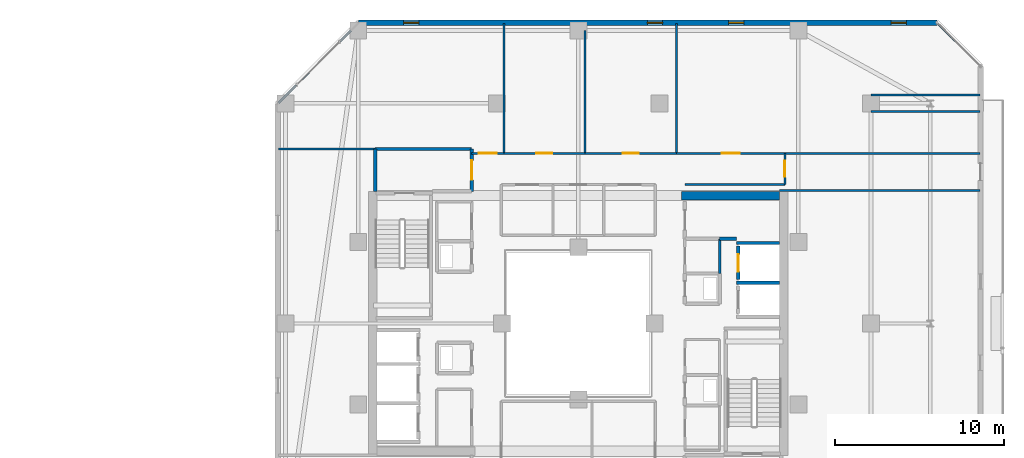
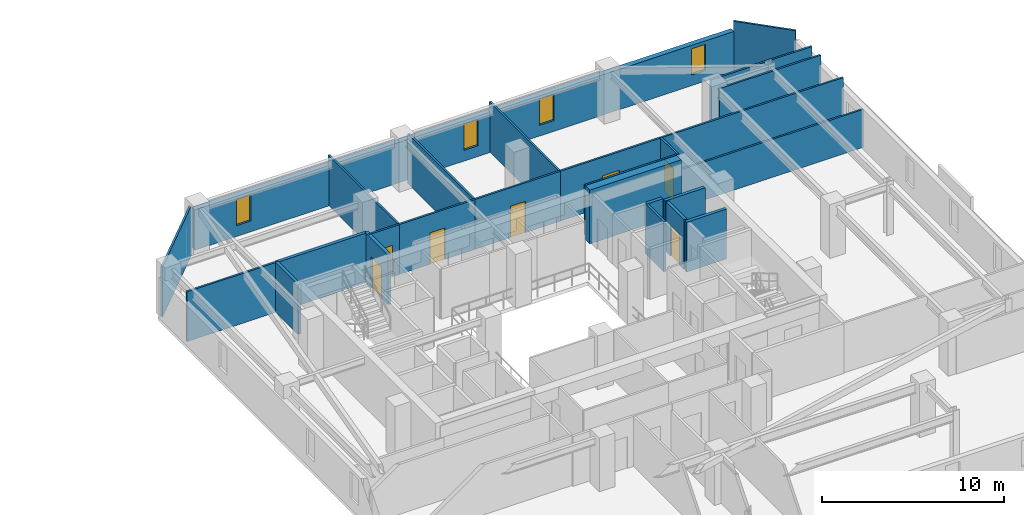
# One storey, part 25 of 32: 26 walls, 7 doors, 4 windows, 11 openings.
"""IFC4 building model written with IfcOpenShell, lengths in metres."""

from ifc_helpers import new_model, si_unit, direction, frame, frame_2d, origin, place, context, subcontext, project, spatial, rectangle, extrude, material, layer, layer_set, type_object, element, fill, save


model = new_model("IFC4")

# Units and contexts
model_context = context("Model", 3, precision=1e-05, world=origin(), true_north=direction((0.0, 1.0)))
body_context = subcontext(model_context, "Body", "Model", "MODEL_VIEW")
ifc_project = project(units=[si_unit("LENGTHUNIT", "METRE"), si_unit("AREAUNIT", "SQUARE_METRE"), si_unit("VOLUMEUNIT", "CUBIC_METRE"), si_unit("PLANEANGLEUNIT", "RADIAN"), si_unit("MASSUNIT", "GRAM", prefix="KILO")], contexts=[model_context])

# Site, building, storey
site_placement = place(None, origin())
site = spatial("IfcSite", under=ifc_project, at=site_placement, CompositionType="ELEMENT")
building_placement = place(site_placement, origin())
building = spatial("IfcBuilding", under=site, at=building_placement, Name="Thornwick Lancets Civic Towers", CompositionType="ELEMENT")
storey_placement = place(building_placement, frame((0.0, 0.0, 247.5)))
storey = spatial("IfcBuildingStorey", under=building, at=storey_placement, Name="L66", CompositionType="ELEMENT", Elevation=247.5)

# Wall, opening, door
ifc_material_1 = material(Name="Concrete blockwork C40/50", Category="masonry")
ifc_layer_1 = layer(ifc_material_1, 0.199951171875, Name="Concrete blockwork C40/50")
ifc_layer_set_1 = layer_set([ifc_layer_1], Name="Concrete blockwork C40/50")
wall_type_1 = type_object("IfcWallType", Name="WALL_COMP_200", PredefinedType="STANDARD", material=ifc_layer_set_1)
wall_1_placement = place(storey_placement, frame((97.949951171875, 31.570068359375, 0.0), z_axis=(0.0, 0.0, 1.0), x_axis=(0.0, -1.0, 0.0)))
wall_1 = element("IfcWall", 1, at=wall_1_placement, inside=storey, type_object=wall_type_1, Name="L66 Hoistway Front Wall PL-BH1", PredefinedType="STANDARD", context=body_context, shape_type="SweptSolid", body=[
    extrude(rectangle(XDim=1.989990234375, YDim=0.199951171875, at=frame_2d((0.9951171875, 0.0))), origin(), (0.0, 0.0, 1.0), 3.340087890625),
])
opening_1_placement = place(wall_1_placement, frame((0.485107421875, 0.0, 0.0)))
opening_1 = element("IfcOpeningElement", 2, at=opening_1_placement, cuts=wall_1, Name="Opening LD-PL-BH1", PredefinedType="OPENING", context=body_context, shape_type="SweptSolid", body=[
    extrude(rectangle(XDim=1.02001953125, YDim=2.06005859375, at=frame_2d((0.510009765625, 1.030029296875))), frame((0.0, 0.10986328125, 0.0), z_axis=(0.0, -1.0, 0.0), x_axis=(1.0, 0.0, 0.0)), (0.0, 0.0, 1.0), 0.219970703125),
])
ifc_material_2 = material(Name="Brushed bronze stainless steel", Category="steel")
door_type_1 = type_object("IfcDoorType", Name="DOOR_LIFT_SLIDE", OperationType="SLIDING_TO_LEFT", PredefinedType="DOOR", material=ifc_material_2)
door_1_placement = place(opening_1_placement, origin())
door_1 = element("IfcDoor", 3, at=door_1_placement, inside=storey, type_object=door_type_1, Name="L66 Sliding Lift Landing Door LD-PL-BH1", OperationType="SLIDING_TO_LEFT", OverallHeight=2.06005859375, OverallWidth=1.02001953125, PredefinedType="DOOR", context=body_context, shape_type="SweptSolid", body=[
    extrude(rectangle(XDim=1.02001953125, YDim=2.06005859375, at=frame_2d((0.510009765625, 1.030029296875))), frame((0.0, 0.02490234375, 0.0), z_axis=(0.0, -1.0, 0.0), x_axis=(1.0, 0.0, 0.0)), (0.0, 0.0, 1.0), 0.050048828125),
])
fill(opening_1, door_1)

# Walls
for number, where, z_axis, x_axis, name in (
    (4, (97.85205078125, 29.39990234375, 0.0), (0.0, 0.0, 1.0), (1.0, 0.0, 0.0), "L66 Hoistway Shaft Wall FL-B1 N"),
    (5, (97.85205078125, 31.75, 0.0), (0.0, 0.0, 1.0), (1.0, 0.0, 0.0), "L66 Hoistway Shaft Wall PL-BH1 N"),
):
    element("IfcWall", number, at=place(storey_placement, frame(where, z_axis=z_axis, x_axis=x_axis)), inside=storey, type_object=wall_type_1, Name=name, PredefinedType="STANDARD", context=body_context, shape_type="SweptSolid", body=[
        extrude(rectangle(XDim=2.535888671875, YDim=0.199951171875, at=frame_2d((1.26806640625, 0.0))), origin(), (0.0, 0.0, 1.0), 3.340087890625),
    ])

# Wall, opening, door
wall_2_placement = place(storey_placement, frame((82.199951171875, 34.800048828125, 0.0), z_axis=(0.0, 0.0, 1.0), x_axis=(0.0, 1.0, 0.0)))
wall_2 = element("IfcWall", 6, at=wall_2_placement, inside=storey, type_object=wall_type_1, Name="L66 Partition L66-B-FFLOB2 E2", PredefinedType="STANDARD", context=body_context, shape_type="SweptSolid", body=[
    extrude(rectangle(XDim=2.5, YDim=0.199951171875, at=frame_2d((1.25, 0.0))), origin(), (0.0, 0.0, 1.0), 3.340087890625),
])
opening_2_placement = place(wall_2_placement, frame((0.675048828125, 0.0, 0.0)))
opening_2 = element("IfcOpeningElement", 7, at=opening_2_placement, cuts=wall_2, Name="Opening D-L66-2986", PredefinedType="OPENING", context=body_context, shape_type="SweptSolid", body=[
    extrude(rectangle(XDim=1.14990234375, YDim=2.10009765625, at=frame_2d((0.574951171875, 1.050048828125))), frame((0.0, 0.10986328125, 0.0), z_axis=(0.0, -1.0, 0.0), x_axis=(1.0, 0.0, 0.0)), (0.0, 0.0, 1.0), 0.219970703125),
])
ifc_material_3 = material(Name="Glazed fire-resisting steel", Category="steel")
door_type_2 = type_object("IfcDoorType", Name="DOOR_LOBBY_FD60", OperationType="NOTDEFINED", PredefinedType="DOOR", material=ifc_material_3)
door_2_placement = place(opening_2_placement, origin())
door_2 = element("IfcDoor", 8, at=door_2_placement, inside=storey, type_object=door_type_2, Name="L66 West Firefighting Lobby 2 Door", OperationType="SINGLE_SWING_LEFT", OverallHeight=2.10009765625, OverallWidth=1.14990234375, PredefinedType="DOOR", context=body_context, shape_type="SweptSolid", body=[
    extrude(rectangle(XDim=1.14990234375, YDim=2.10009765625, at=frame_2d((0.574951171875, 1.050048828125))), frame((0.0, 0.02490234375, 0.0), z_axis=(0.0, -1.0, 0.0), x_axis=(1.0, 0.0, 0.0)), (0.0, 0.0, 1.0), 0.050048828125),
])
fill(opening_2, door_2)

# Walls
wall_3_placement = place(storey_placement, frame((82.199951171875, 37.300048828125, 0.0), z_axis=(0.0, 0.0, 1.0), x_axis=(-1.0, 0.0, 0.0)))
element("IfcWall", 9, at=wall_3_placement, inside=storey, type_object=wall_type_1, Name="L66 Partition L66-B-FFLOB2 E3", PredefinedType="STANDARD", context=body_context, shape_type="SweptSolid", body=[
    extrude(rectangle(XDim=5.699951171875, YDim=0.199951171875, at=frame_2d((2.85009765625, 0.0))), origin(), (0.0, 0.0, 1.0), 3.340087890625),
])
wall_4_placement = place(storey_placement, frame((76.5, 37.300048828125, 0.0), z_axis=(0.0, 0.0, 1.0), x_axis=(0.0, -1.0, 0.0)))
element("IfcWall", 10, at=wall_4_placement, inside=storey, type_object=wall_type_1, Name="L66 Partition L66-B-FFLOB2 E4", PredefinedType="STANDARD", context=body_context, shape_type="SweptSolid", body=[
    extrude(rectangle(XDim=2.5, YDim=0.199951171875, at=frame_2d((1.25, 0.0))), origin(), (0.0, 0.0, 1.0), 3.340087890625),
])
wall_5_placement = place(storey_placement, frame((97.85205078125, 32.0, 0.0), z_axis=(0.0, 0.0, 1.0), x_axis=(-1.0, 0.0, 0.0)))
element("IfcWall", 11, at=wall_5_placement, inside=storey, type_object=wall_type_1, Name="L66 Partition L66-B-STR2 E4", PredefinedType="STANDARD", context=body_context, shape_type="SweptSolid", body=[
    extrude(rectangle(XDim=1.001953125, YDim=0.199951171875, at=frame_2d((0.5009765625, 0.0))), origin(), (0.0, 0.0, 1.0), 3.340087890625),
])
ifc_material_4 = material(Name="Concrete C50/60", Category="concrete")
ifc_layer_2 = layer(ifc_material_4, 0.5, Name="Concrete C50/60")
ifc_layer_set_2 = layer_set([ifc_layer_2], Name="Concrete C50/60")
wall_type_2 = type_object("IfcWallType", Name="WALL_CORE_500", PredefinedType="SHEAR", material=ifc_layer_set_2)
wall_6_placement = place(storey_placement, frame((94.60009765625, 34.550048828125, 0.0), z_axis=(0.0, 0.0, 1.0), x_axis=(1.0, 0.0, 0.0)))
element("IfcWall", 12, at=wall_6_placement, inside=storey, type_object=wall_type_2, Name="L66 Split Core B1 Shear Wall N", PredefinedType="SHEAR", context=body_context, shape_type="SweptSolid", body=[
    extrude(rectangle(XDim=5.7998046875, YDim=0.5, at=frame_2d((2.89990234375, 0.0))), origin(), (0.0, 0.0, 1.0), 3.60009765625),
])

# Wall, openings, windows
ifc_material_5 = material(Name="Insulated buff terracotta rainscreen on concrete C40/50", Category="masonry")
ifc_layer_3 = layer(ifc_material_5, 0.320068359375, Name="Insulated buff terracotta rainscreen on concrete C40/50")
ifc_layer_set_3 = layer_set([ifc_layer_3], Name="Insulated buff terracotta rainscreen on concrete C40/50")
wall_type_3 = type_object("IfcWallType", Name="WALL_EXT_TERRA_320", PredefinedType="STANDARD", material=ifc_layer_set_3)
wall_7_placement = place(storey_placement, frame((109.681396484375, 44.7646484375, 0.0), z_axis=(0.0, 0.0, 1.0), x_axis=(-0.99999997701, -0.000214431216, 0.0)))
wall_7 = element("IfcWall", 13, at=wall_7_placement, inside=storey, type_object=wall_type_3, Name="L66 Tower B Terracotta Facade Wall E4", PredefinedType="STANDARD", context=body_context, shape_type="SweptSolid", body=[
    extrude(rectangle(XDim=34.156494140625, YDim=0.320068359375, at=frame_2d((17.078125, 0.0))), origin(), (0.0, 0.0, 1.0), 2.699951171875),
])
opening_3_placement = place(wall_7_placement, frame((1.800048828125, 0.0, 0.719970703125)))
opening_3 = element("IfcOpeningElement", 14, at=opening_3_placement, cuts=wall_7, Name="Opening WL-01", PredefinedType="OPENING", context=body_context, shape_type="SweptSolid", body=[
    extrude(rectangle(XDim=0.89990234375, YDim=1.75, at=frame_2d((0.449951171875, 0.875))), frame((0.0, 0.169921875, 0.0), z_axis=(0.0, -1.0, 0.0), x_axis=(1.0, 0.0, 0.0)), (0.0, 0.0, 1.0), 0.340087890625),
])
opening_4_placement = place(wall_7_placement, frame((11.39990234375, 0.0, 0.719970703125)))
opening_4 = element("IfcOpeningElement", 15, at=opening_4_placement, cuts=wall_7, Name="Opening WL-01", PredefinedType="OPENING", context=body_context, shape_type="SweptSolid", body=[
    extrude(rectangle(XDim=0.89990234375, YDim=1.75, at=frame_2d((0.449951171875, 0.875))), frame((0.0, 0.169921875, 0.0), z_axis=(0.0, -1.0, 0.0), x_axis=(1.0, 0.0, 0.0)), (0.0, 0.0, 1.0), 0.340087890625),
])
opening_5_placement = place(wall_7_placement, frame((16.199951171875, 0.0, 0.719970703125)))
opening_5 = element("IfcOpeningElement", 16, at=opening_5_placement, cuts=wall_7, Name="Opening WL-01", PredefinedType="OPENING", context=body_context, shape_type="SweptSolid", body=[
    extrude(rectangle(XDim=0.89990234375, YDim=1.75, at=frame_2d((0.449951171875, 0.875))), frame((0.0, 0.169921875, 0.0), z_axis=(0.0, -1.0, 0.0), x_axis=(1.0, 0.0, 0.0)), (0.0, 0.0, 1.0), 0.340087890625),
])
opening_6_placement = place(wall_7_placement, frame((30.60009765625, 0.0, 0.719970703125)))
opening_6 = element("IfcOpeningElement", 17, at=opening_6_placement, cuts=wall_7, Name="Opening WL-01", PredefinedType="OPENING", context=body_context, shape_type="SweptSolid", body=[
    extrude(rectangle(XDim=0.89990234375, YDim=1.75, at=frame_2d((0.449951171875, 0.875))), frame((0.0, 0.169921875, 0.0), z_axis=(0.0, -1.0, 0.0), x_axis=(1.0, 0.0, 0.0)), (0.0, 0.0, 1.0), 0.340087890625),
])
ifc_material_6 = material(Name="Clear low-e double glazing in bronze frame", Category="glass")
window_type = type_object("IfcWindowType", Name="WIN_LANCET_900", PartitioningType="SINGLE_PANEL", PredefinedType="WINDOW", material=ifc_material_6)
window_1_placement = place(opening_3_placement, origin())
window_1 = element("IfcWindow", 18, at=window_1_placement, inside=storey, type_object=window_type, Name="L66 Tower B Staggered Lancet Window E4-1", OverallHeight=1.75, OverallWidth=0.89990234375, PartitioningType="SINGLE_PANEL", PredefinedType="WINDOW", context=body_context, shape_type="SweptSolid", body=[
    extrude(rectangle(XDim=0.89990234375, YDim=1.75, at=frame_2d((0.449951171875, 0.875))), frame((0.0, 0.030029296875, 0.0), z_axis=(0.0, -1.0, 0.0), x_axis=(1.0, 0.0, 0.0)), (0.0, 0.0, 1.0), 0.06005859375),
])
fill(opening_3, window_1)
window_2_placement = place(opening_4_placement, origin())
window_2 = element("IfcWindow", 19, at=window_2_placement, inside=storey, type_object=window_type, Name="L66 Tower B Staggered Lancet Window E4-2", OverallHeight=1.75, OverallWidth=0.89990234375, PartitioningType="SINGLE_PANEL", PredefinedType="WINDOW", context=body_context, shape_type="SweptSolid", body=[
    extrude(rectangle(XDim=0.89990234375, YDim=1.75, at=frame_2d((0.449951171875, 0.875))), frame((0.0, 0.030029296875, 0.0), z_axis=(0.0, -1.0, 0.0), x_axis=(1.0, 0.0, 0.0)), (0.0, 0.0, 1.0), 0.06005859375),
])
fill(opening_4, window_2)
window_3_placement = place(opening_5_placement, origin())
window_3 = element("IfcWindow", 20, at=window_3_placement, inside=storey, type_object=window_type, Name="L66 Tower B Staggered Lancet Window E4-3", OverallHeight=1.75, OverallWidth=0.89990234375, PartitioningType="SINGLE_PANEL", PredefinedType="WINDOW", context=body_context, shape_type="SweptSolid", body=[
    extrude(rectangle(XDim=0.89990234375, YDim=1.75, at=frame_2d((0.449951171875, 0.875))), frame((0.0, 0.030029296875, 0.0), z_axis=(0.0, -1.0, 0.0), x_axis=(1.0, 0.0, 0.0)), (0.0, 0.0, 1.0), 0.06005859375),
])
fill(opening_5, window_3)
window_4_placement = place(opening_6_placement, origin())
window_4 = element("IfcWindow", 21, at=window_4_placement, inside=storey, type_object=window_type, Name="L66 Tower B Staggered Lancet Window E4-4", OverallHeight=1.75, OverallWidth=0.89990234375, PartitioningType="SINGLE_PANEL", PredefinedType="WINDOW", context=body_context, shape_type="SweptSolid", body=[
    extrude(rectangle(XDim=0.89990234375, YDim=1.75, at=frame_2d((0.449951171875, 0.875))), frame((0.0, 0.030029296875, 0.0), z_axis=(0.0, -1.0, 0.0), x_axis=(1.0, 0.0, 0.0)), (0.0, 0.0, 1.0), 0.06005859375),
])
fill(opening_6, window_4)

# Wall
ifc_material_7 = material(Name="Acoustic gypsum board partition")
ifc_layer_4 = layer(ifc_material_7, 0.1201171875, Name="Acoustic gypsum board partition")
ifc_layer_set_4 = layer_set([ifc_layer_4], Name="Acoustic gypsum board partition")
wall_type_4 = type_object("IfcWallType", Name="WALL_PART_120", PredefinedType="PARTITIONING", material=ifc_layer_set_4)
wall_8_placement = place(storey_placement, frame((94.800048828125, 35.199951171875, 0.0), z_axis=(0.0, 0.0, 1.0), x_axis=(1.0, 0.0, 0.0)))
element("IfcWall", 22, at=wall_8_placement, inside=storey, type_object=wall_type_4, Name="L66 Partition L66-B-RECLAIM-L E2", PredefinedType="PARTITIONING", context=body_context, shape_type="SweptSolid", body=[
    extrude(rectangle(XDim=5.89990234375, YDim=0.1201171875, at=frame_2d((2.949951171875, 0.0))), origin(), (0.0, 0.0, 1.0), 3.340087890625),
])

# Wall, opening, door
wall_9_placement = place(storey_placement, frame((100.699951171875, 35.199951171875, 0.0), z_axis=(0.0, 0.0, 1.0), x_axis=(0.0, 1.0, 0.0)))
wall_9 = element("IfcWall", 23, at=wall_9_placement, inside=storey, type_object=wall_type_4, Name="L66 Partition L66-B-RECLAIM-L E3", PredefinedType="PARTITIONING", context=body_context, shape_type="SweptSolid", body=[
    extrude(rectangle(XDim=1.85009765625, YDim=0.1201171875, at=frame_2d((0.925048828125, 0.0))), origin(), (0.0, 0.0, 1.0), 3.340087890625),
])
opening_7_placement = place(wall_9_placement, frame((0.449951171875, 0.0, 0.0)))
opening_7 = element("IfcOpeningElement", 24, at=opening_7_placement, cuts=wall_9, Name="Opening D-L66-3013", PredefinedType="OPENING", context=body_context, shape_type="SweptSolid", body=[
    extrude(rectangle(XDim=0.949951171875, YDim=2.10009765625, at=frame_2d((0.47509765625, 1.050048828125))), frame((0.0, 0.070068359375, 0.0), z_axis=(0.0, -1.0, 0.0), x_axis=(1.0, 0.0, 0.0)), (0.0, 0.0, 1.0), 0.14013671875),
])
ifc_material_8 = material(Name="European oak acoustic doorset")
door_type_3 = type_object("IfcDoorType", Name="DOOR_OFFICE_950", OperationType="NOTDEFINED", PredefinedType="DOOR", material=ifc_material_8)
door_3_placement = place(opening_7_placement, origin())
door_3 = element("IfcDoor", 25, at=door_3_placement, inside=storey, type_object=door_type_3, Name="L66 Tower B Parliamentary Drafting Library Door", OperationType="SINGLE_SWING_RIGHT", OverallHeight=2.10009765625, OverallWidth=0.949951171875, PredefinedType="DOOR", context=body_context, shape_type="SweptSolid", body=[
    extrude(rectangle(XDim=0.949951171875, YDim=2.10009765625, at=frame_2d((0.47509765625, 1.050048828125))), frame((0.0, 0.02490234375, 0.0), z_axis=(0.0, -1.0, 0.0), x_axis=(1.0, 0.0, 0.0)), (0.0, 0.0, 1.0), 0.050048828125),
])
fill(opening_7, door_3)

# Walls
wall_10_placement = place(storey_placement, frame((100.699951171875, 37.050048828125, 0.0), z_axis=(0.0, 0.0, 1.0), x_axis=(1.0, 0.0, 0.0)))
element("IfcWall", 26, at=wall_10_placement, inside=storey, type_object=wall_type_4, Name="L66 Partition L66-B-RECLAIM-L E4", PredefinedType="PARTITIONING", context=body_context, shape_type="SweptSolid", body=[
    extrude(rectangle(XDim=11.52001953125, YDim=0.1201171875, at=frame_2d((5.760009765625, 0.0))), origin(), (0.0, 0.0, 1.0), 3.340087890625),
])
wall_11_placement = place(storey_placement, frame((112.219970703125, 34.85009765625, 0.0), z_axis=(0.0, 0.0, 1.0), x_axis=(-1.0, 0.0, 0.0)))
element("IfcWall", 27, at=wall_11_placement, inside=storey, type_object=wall_type_4, Name="L66 Partition L66-B-RECLAIM-L E6", PredefinedType="PARTITIONING", context=body_context, shape_type="SweptSolid", body=[
    extrude(rectangle(XDim=11.820068359375, YDim=0.1201171875, at=frame_2d((5.91015625, 0.0))), origin(), (0.0, 0.0, 1.0), 2.544921875),
])

# Wall, opening, door
wall_12_placement = place(storey_placement, frame((100.699951171875, 37.050048828125, 0.0), z_axis=(0.0, 0.0, 1.0), x_axis=(-1.0, 0.0, 0.0)))
wall_12 = element("IfcWall", 28, at=wall_12_placement, inside=storey, type_object=wall_type_4, Name="L66 Partition L66-B-E1 E1", PredefinedType="PARTITIONING", context=body_context, shape_type="SweptSolid", body=[
    extrude(rectangle(XDim=6.39990234375, YDim=0.1201171875, at=frame_2d((3.199951171875, 0.0))), origin(), (0.0, 0.0, 1.0), 3.340087890625),
])
opening_8_placement = place(wall_12_placement, frame((2.675048828125, 0.0, 0.0)))
opening_8 = element("IfcOpeningElement", 29, at=opening_8_placement, cuts=wall_12, Name="Opening D-L66-3022", PredefinedType="OPENING", context=body_context, shape_type="SweptSolid", body=[
    extrude(rectangle(XDim=1.050048828125, YDim=2.10009765625, at=frame_2d((0.52490234375, 1.050048828125))), frame((0.0, 0.070068359375, 0.0), z_axis=(0.0, -1.0, 0.0), x_axis=(1.0, 0.0, 0.0)), (0.0, 0.0, 1.0), 0.14013671875),
])
ifc_material_9 = material(Name="Glazed European oak executive doorset")
door_type_4 = type_object("IfcDoorType", Name="DOOR_OFFICE_1050", OperationType="NOTDEFINED", PredefinedType="DOOR", material=ifc_material_9)
door_4_placement = place(opening_8_placement, origin())
door_4 = element("IfcDoor", 30, at=door_4_placement, inside=storey, type_object=door_type_4, Name="L66 Tower B Secretariat Open Office E1 Door", OperationType="SINGLE_SWING_LEFT", OverallHeight=2.10009765625, OverallWidth=1.050048828125, PredefinedType="DOOR", context=body_context, shape_type="SweptSolid", body=[
    extrude(rectangle(XDim=1.050048828125, YDim=2.10009765625, at=frame_2d((0.52490234375, 1.050048828125))), frame((0.0, 0.02490234375, 0.0), z_axis=(0.0, -1.0, 0.0), x_axis=(1.0, 0.0, 0.0)), (0.0, 0.0, 1.0), 0.050048828125),
])
fill(opening_8, door_4)

# Walls
wall_13_placement = place(storey_placement, frame((94.300048828125, 37.050048828125, 0.0), z_axis=(0.0, 0.0, 1.0), x_axis=(0.0, 1.0, 0.0)))
element("IfcWall", 31, at=wall_13_placement, inside=storey, type_object=wall_type_4, Name="L66 Partition L66-B-E1 E2", PredefinedType="PARTITIONING", context=body_context, shape_type="SweptSolid", body=[
    extrude(rectangle(XDim=7.669921875, YDim=0.1201171875, at=frame_2d((3.8349609375, 0.0))), origin(), (0.0, 0.0, 1.0), 3.340087890625),
])
wall_14_placement = place(storey_placement, frame((109.725341796875, 44.719970703125, 0.0), z_axis=(0.0, 0.0, 1.0), x_axis=(0.707106781187, -0.707106781187, 0.0)))
element("IfcWall", 32, at=wall_14_placement, inside=storey, type_object=wall_type_4, Name="L66 Partition L66-B-E1 E8", PredefinedType="PARTITIONING", context=body_context, shape_type="SweptSolid", body=[
    extrude(rectangle(XDim=3.52783203125, YDim=0.1201171875, at=frame_2d((1.763916015625, 0.0))), origin(), (0.0, 0.0, 1.0), 3.340087890625),
])
for number, where, z_axis, x_axis, name in (
    (33, (112.219970703125, 40.47998046875, 0.0), (0.0, 0.0, 1.0), (-1.0, 0.0, 0.0), "L66 Partition L66-B-E1 E10"),
    (34, (105.800048828125, 39.52001953125, 0.0), (0.0, 0.0, 1.0), (1.0, 0.0, 0.0), "L66 Partition L66-B-E1 E12"),
):
    element("IfcWall", number, at=place(storey_placement, frame(where, z_axis=z_axis, x_axis=x_axis)), inside=storey, type_object=wall_type_4, Name=name, PredefinedType="PARTITIONING", context=body_context, shape_type="SweptSolid", body=[
        extrude(rectangle(XDim=6.419921875, YDim=0.1201171875, at=frame_2d((3.2099609375, 0.0))), origin(), (0.0, 0.0, 1.0), 3.340087890625),
    ])
wall_15_placement = place(storey_placement, frame((88.89990234375, 37.050048828125, 0.0), z_axis=(0.0, 0.0, 1.0), x_axis=(0.0, 1.0, 0.0)))
element("IfcWall", 35, at=wall_15_placement, inside=storey, type_object=wall_type_4, Name="L66 Partition L66-B-E2 E1", PredefinedType="PARTITIONING", context=body_context, shape_type="SweptSolid", body=[
    extrude(rectangle(XDim=7.25, YDim=0.1201171875, at=frame_2d((3.625, 0.0))), origin(), (0.0, 0.0, 1.0), 3.340087890625),
])

# Wall, opening, door
wall_16_placement = place(storey_placement, frame((94.300048828125, 37.050048828125, 0.0), z_axis=(0.0, 0.0, 1.0), x_axis=(-1.0, 0.0, 0.0)))
wall_16 = element("IfcWall", 36, at=wall_16_placement, inside=storey, type_object=wall_type_4, Name="L66 Partition L66-B-E2 E6", PredefinedType="PARTITIONING", context=body_context, shape_type="SweptSolid", body=[
    extrude(rectangle(XDim=5.400146484375, YDim=0.1201171875, at=frame_2d((2.7001953125, 0.0))), origin(), (0.0, 0.0, 1.0), 3.340087890625),
])
opening_9_placement = place(wall_16_placement, frame((2.22509765625, 0.0, 0.0)))
opening_9 = element("IfcOpeningElement", 37, at=opening_9_placement, cuts=wall_16, Name="Opening D-L66-3023", PredefinedType="OPENING", context=body_context, shape_type="SweptSolid", body=[
    extrude(rectangle(XDim=0.949951171875, YDim=2.10009765625, at=frame_2d((0.47509765625, 1.050048828125))), frame((0.0, 0.070068359375, 0.0), z_axis=(0.0, -1.0, 0.0), x_axis=(1.0, 0.0, 0.0)), (0.0, 0.0, 1.0), 0.14013671875),
])
door_5_placement = place(opening_9_placement, origin())
door_5 = element("IfcDoor", 38, at=door_5_placement, inside=storey, type_object=door_type_3, Name="L66 Tower B Visitors Reception and Waiting Door", OperationType="SINGLE_SWING_RIGHT", OverallHeight=2.10009765625, OverallWidth=0.949951171875, PredefinedType="DOOR", context=body_context, shape_type="SweptSolid", body=[
    extrude(rectangle(XDim=0.949951171875, YDim=2.10009765625, at=frame_2d((0.47509765625, 1.050048828125))), frame((0.0, 0.02490234375, 0.0), z_axis=(0.0, -1.0, 0.0), x_axis=(1.0, 0.0, 0.0)), (0.0, 0.0, 1.0), 0.050048828125),
])
fill(opening_9, door_5)

# Wall
wall_17_placement = place(storey_placement, frame((84.10009765625, 37.050048828125, 0.0), z_axis=(0.0, 0.0, 1.0), x_axis=(0.0, 1.0, 0.0)))
element("IfcWall", 39, at=wall_17_placement, inside=storey, type_object=wall_type_4, Name="L66 Partition L66-B-E3 E1", PredefinedType="PARTITIONING", context=body_context, shape_type="SweptSolid", body=[
    extrude(rectangle(XDim=7.669921875, YDim=0.1201171875, at=frame_2d((3.8349609375, 0.0))), origin(), (0.0, 0.0, 1.0), 3.340087890625),
])

# Wall, opening, door
wall_18_placement = place(storey_placement, frame((88.89990234375, 37.050048828125, 0.0), z_axis=(0.0, 0.0, 1.0), x_axis=(-1.0, 0.0, 0.0)))
wall_18 = element("IfcWall", 40, at=wall_18_placement, inside=storey, type_object=wall_type_4, Name="L66 Partition L66-B-E3 E6", PredefinedType="PARTITIONING", context=body_context, shape_type="SweptSolid", body=[
    extrude(rectangle(XDim=4.7998046875, YDim=0.1201171875, at=frame_2d((2.39990234375, 0.0))), origin(), (0.0, 0.0, 1.0), 3.340087890625),
])
opening_10_placement = place(wall_18_placement, frame((1.925048828125, 0.0, 0.0)))
opening_10 = element("IfcOpeningElement", 41, at=opening_10_placement, cuts=wall_18, Name="Opening D-L66-3024", PredefinedType="OPENING", context=body_context, shape_type="SweptSolid", body=[
    extrude(rectangle(XDim=0.949951171875, YDim=2.10009765625, at=frame_2d((0.47509765625, 1.050048828125))), frame((0.0, 0.070068359375, 0.0), z_axis=(0.0, -1.0, 0.0), x_axis=(1.0, 0.0, 0.0)), (0.0, 0.0, 1.0), 0.14013671875),
])
door_6_placement = place(opening_10_placement, origin())
door_6 = element("IfcDoor", 42, at=door_6_placement, inside=storey, type_object=door_type_3, Name="L66 Tower B Civic Seminar Room Door", OperationType="SINGLE_SWING_LEFT", OverallHeight=2.10009765625, OverallWidth=0.949951171875, PredefinedType="DOOR", context=body_context, shape_type="SweptSolid", body=[
    extrude(rectangle(XDim=0.949951171875, YDim=2.10009765625, at=frame_2d((0.47509765625, 1.050048828125))), frame((0.0, 0.02490234375, 0.0), z_axis=(0.0, -1.0, 0.0), x_axis=(1.0, 0.0, 0.0)), (0.0, 0.0, 1.0), 0.050048828125),
])
fill(opening_10, door_6)

# Walls
wall_19_placement = place(storey_placement, frame((76.5, 37.300048828125, 0.0), z_axis=(0.0, 0.0, 1.0), x_axis=(-1.0, 0.0, 0.0)))
element("IfcWall", 43, at=wall_19_placement, inside=storey, type_object=wall_type_4, Name="L66 Partition L66-B-E4 E3", PredefinedType="PARTITIONING", context=body_context, shape_type="SweptSolid", body=[
    extrude(rectangle(XDim=5.719970703125, YDim=0.1201171875, at=frame_2d((2.85986328125, 0.0))), origin(), (0.0, 0.0, 1.0), 3.340087890625),
])
wall_20_placement = place(storey_placement, frame((70.780029296875, 40.010498046875, 0.0), z_axis=(0.0, 0.0, 1.0), x_axis=(0.707106781187, 0.707106781187, 0.0)))
element("IfcWall", 44, at=wall_20_placement, inside=storey, type_object=wall_type_4, Name="L66 Partition L66-B-E4 E5", PredefinedType="PARTITIONING", context=body_context, shape_type="SweptSolid", body=[
    extrude(rectangle(XDim=6.06640625, YDim=0.1201171875, at=frame_2d((3.033203125, 0.0))), origin(), (0.0, 0.0, 1.0), 3.340087890625),
])

# Wall, opening, door
wall_21_placement = place(storey_placement, frame((84.10009765625, 37.050048828125, 0.0), z_axis=(0.0, 0.0, 1.0), x_axis=(-1.0, 0.0, 0.0)))
wall_21 = element("IfcWall", 45, at=wall_21_placement, inside=storey, type_object=wall_type_4, Name="L66 Partition L66-B-E4 E10", PredefinedType="PARTITIONING", context=body_context, shape_type="SweptSolid", body=[
    extrude(rectangle(XDim=1.900146484375, YDim=0.1201171875, at=frame_2d((0.9501953125, 0.0))), origin(), (0.0, 0.0, 1.0), 3.340087890625),
])
opening_11_placement = place(wall_21_placement, frame((0.425048828125, 0.0, 0.0)))
opening_11 = element("IfcOpeningElement", 46, at=opening_11_placement, cuts=wall_21, Name="Opening D-L66-3025", PredefinedType="OPENING", context=body_context, shape_type="SweptSolid", body=[
    extrude(rectangle(XDim=1.050048828125, YDim=2.10009765625, at=frame_2d((0.52490234375, 1.050048828125))), frame((0.0, 0.070068359375, 0.0), z_axis=(0.0, -1.0, 0.0), x_axis=(1.0, 0.0, 0.0)), (0.0, 0.0, 1.0), 0.14013671875),
])
door_7_placement = place(opening_11_placement, origin())
door_7 = element("IfcDoor", 47, at=door_7_placement, inside=storey, type_object=door_type_4, Name="L66 Tower B Legislative Drafting Suite E4 Door", OperationType="SINGLE_SWING_RIGHT", OverallHeight=2.10009765625, OverallWidth=1.050048828125, PredefinedType="DOOR", context=body_context, shape_type="SweptSolid", body=[
    extrude(rectangle(XDim=1.050048828125, YDim=2.10009765625, at=frame_2d((0.52490234375, 1.050048828125))), frame((0.0, 0.02490234375, 0.0), z_axis=(0.0, -1.0, 0.0), x_axis=(1.0, 0.0, 0.0)), (0.0, 0.0, 1.0), 0.050048828125),
])
fill(opening_11, door_7)

# Wall
ifc_material_10 = material(Name="Twin-stud acoustic gypsum board")
ifc_layer_5 = layer(ifc_material_10, 0.14990234375, Name="Twin-stud acoustic gypsum board")
ifc_layer_set_5 = layer_set([ifc_layer_5], Name="Twin-stud acoustic gypsum board")
wall_type_5 = type_object("IfcWallType", Name="WALL_PART_150", PredefinedType="PARTITIONING", material=ifc_layer_set_5)
wall_22_placement = place(storey_placement, frame((96.85009765625, 32.0, 0.0), z_axis=(0.0, 0.0, 1.0), x_axis=(0.0, -1.0, 0.0)))
element("IfcWall", 48, at=wall_22_placement, inside=storey, type_object=wall_type_5, Name="L66 Partition L66-B-AWC E3", PredefinedType="PARTITIONING", context=body_context, shape_type="SweptSolid", body=[
    extrude(rectangle(XDim=2.050048828125, YDim=0.14990234375, at=frame_2d((1.02490234375, 0.0))), origin(), (0.0, 0.0, 1.0), 3.340087890625),
])

save(model, "model.ifc")
